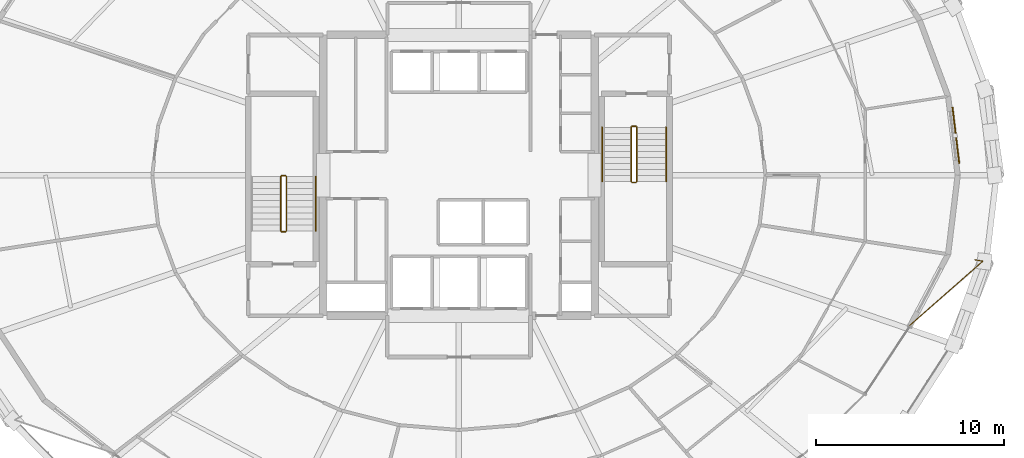
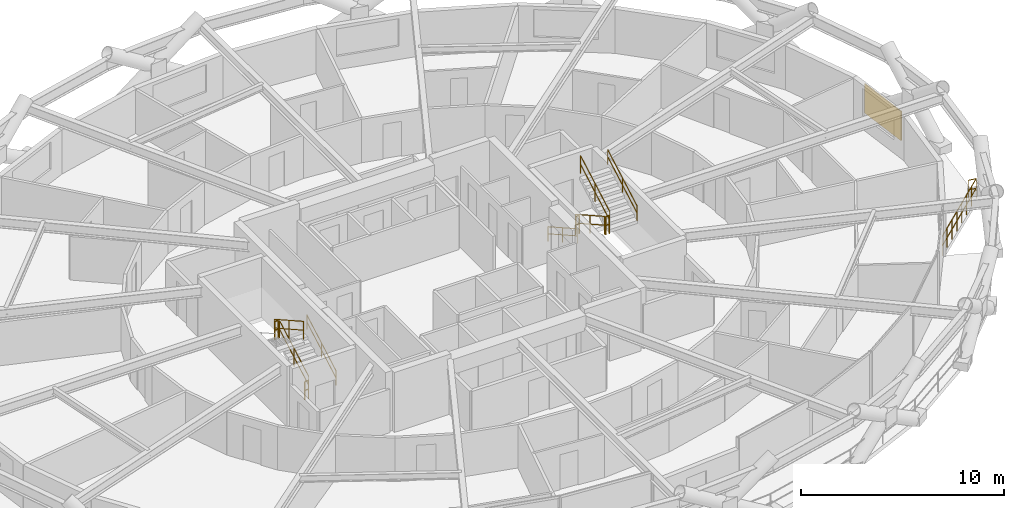
# One storey, part 19 of 19: 12 railings, 1 shading device.
"""IFC4 building model written with IfcOpenShell, lengths in metres."""

from ifc_helpers import new_model, si_unit, direction, frame, origin, origin_2d, place, context, subcontext, project, spatial, rectangle, circle, extrude, material, layer, layer_set, type_object, element, save


model = new_model("IFC4")

# Units and contexts
model_context = context("Model", 3, precision=1e-05, world=origin(), true_north=direction((0.0, 1.0)))
body_context = subcontext(model_context, "Body", "Model", "MODEL_VIEW")
ifc_project = project(units=[si_unit("LENGTHUNIT", "METRE"), si_unit("AREAUNIT", "SQUARE_METRE"), si_unit("VOLUMEUNIT", "CUBIC_METRE"), si_unit("PLANEANGLEUNIT", "RADIAN"), si_unit("MASSUNIT", "GRAM", prefix="KILO")], contexts=[model_context])

# Site, building, storey
site_placement = place(None, origin())
site = spatial("IfcSite", under=ifc_project, at=site_placement, CompositionType="ELEMENT")
building_placement = place(site_placement, origin())
building = spatial("IfcBuilding", under=site, at=building_placement, Name="Veldorina Hangang Commons", CompositionType="ELEMENT")
storey_placement = place(building_placement, frame((0.0, 0.0, 52.0)))
storey = spatial("IfcBuildingStorey", under=building, at=storey_placement, Name="L12", CompositionType="ELEMENT", Elevation=52.0)

# Railings
ifc_material_1 = material(Name="Glass Laminated Safety Balustrade", Category="glass")
railing_type_1 = type_object("IfcRailingType", Name="RL-BAL-LOGGIA", PredefinedType="BALUSTRADE", material=ifc_material_1)
railing_1_placement = place(storey_placement, frame((59.3955078125, 19.5087890625, 0.0)))
element("IfcRailing", 1, at=railing_1_placement, inside=storey, type_object=railing_type_1, Name="L12 sky-garden loggia end balustrade B", PredefinedType="BALUSTRADE", context=body_context, shape_type="SweptSolid", body=[
    extrude(circle(Radius=0.02392578125, at=origin_2d()), frame((0.0, 0.0, 1.17578125), z_axis=(0.9868459218, -0.161663621839, 0.0), x_axis=(0.161663621839, 0.9868459218, 0.0)), (0.0, 0.0, 1.0), 0.419921875),
    extrude(circle(Radius=0.02392578125, at=origin_2d()), frame((0.0, 0.0, 0.60009765625), z_axis=(0.9868459218, -0.161663621839, 0.0), x_axis=(0.161663621839, 0.9868459218, 0.0)), (0.0, 0.0, 1.0), 0.419921875),
    extrude(circle(Radius=0.02392578125, at=origin_2d()), frame((0.414306640625, -0.06787109375, 1.17578125), z_axis=(-0.751143730367, -0.660138694768, 0.0), x_axis=(0.660138694768, -0.751143730367, 0.0)), (0.0, 0.0, 1.0), 5.19921875),
    extrude(circle(Radius=0.02392578125, at=origin_2d()), frame((0.414306640625, -0.06787109375, 0.60009765625), z_axis=(-0.751143730367, -0.660138694768, 0.0), x_axis=(0.660138694768, -0.751143730367, 0.0)), (0.0, 0.0, 1.0), 5.19921875),
    extrude(circle(Radius=0.02099609375, at=origin_2d()), origin(), (0.0, 0.0, 1.0), 1.15185546875),
    extrude(circle(Radius=0.02099609375, at=origin_2d()), frame((0.414306640625, -0.06787109375, 0.0)), (0.0, 0.0, 1.0), 1.15185546875),
    extrude(circle(Radius=0.02099609375, at=origin_2d()), frame((-0.1435546875, -0.55810546875, 0.0)), (0.0, 0.0, 1.0), 1.15185546875),
    extrude(circle(Radius=0.02099609375, at=origin_2d()), frame((-0.701416015625, -1.048583984375, 0.0)), (0.0, 0.0, 1.0), 1.15185546875),
    extrude(circle(Radius=0.02099609375, at=origin_2d()), frame((-1.25927734375, -1.538818359375, 0.0)), (0.0, 0.0, 1.0), 1.15185546875),
    extrude(circle(Radius=0.02099609375, at=origin_2d()), frame((-1.8173828125, -2.029052734375, 0.0)), (0.0, 0.0, 1.0), 1.15185546875),
    extrude(circle(Radius=0.02099609375, at=origin_2d()), frame((-2.375244140625, -2.519287109375, 0.0)), (0.0, 0.0, 1.0), 1.15185546875),
    extrude(circle(Radius=0.02099609375, at=origin_2d()), frame((-2.93310546875, -3.009765625, 0.0)), (0.0, 0.0, 1.0), 1.15185546875),
    extrude(circle(Radius=0.02099609375, at=origin_2d()), frame((-3.490966796875, -3.5, 0.0)), (0.0, 0.0, 1.0), 1.15185546875),
])
ifc_material_2 = material(Name="Steel Painted Balustrade", Category="steel")
railing_type_2 = type_object("IfcRailingType", Name="RL-GRD-STAIR", PredefinedType="GUARDRAIL", material=ifc_material_2)
railing_2_placement = place(storey_placement, frame((22.85009765625, 21.050048828125, 0.179931640625)))
element("IfcRailing", 2, at=railing_2_placement, inside=storey, type_object=railing_type_2, Name="L12 ST-1 stair guard 1", PredefinedType="GUARDRAIL", context=body_context, shape_type="SweptSolid", body=[
    extrude(circle(Radius=0.02392578125, at=origin_2d()), frame((0.0, 0.0, 1.076171875), z_axis=(0.0, 0.87155185771, 0.490303333991), x_axis=(-1.0, 0.0, 0.0)), (0.0, 0.0, 1.0), 3.30419921875),
    extrude(circle(Radius=0.02392578125, at=origin_2d()), frame((0.0, 0.0, 0.550048828125), z_axis=(0.0, 0.87155185771, 0.490303333991), x_axis=(-1.0, 0.0, 0.0)), (0.0, 0.0, 1.0), 3.30419921875),
    extrude(circle(Radius=0.02099609375, at=origin_2d()), origin(), (0.0, 0.0, 1.0), 1.052001953125),
    extrude(circle(Radius=0.02099609375, at=origin_2d()), frame((0.0, 1.43994140625, 0.81005859375)), (0.0, 0.0, 1.0), 1.052001953125),
    extrude(circle(Radius=0.02099609375, at=origin_2d()), frame((0.0, 2.8798828125, 1.6201171875)), (0.0, 0.0, 1.0), 1.052001953125),
])
railing_3_placement = place(storey_placement, frame((22.800048828125, 23.97998046875, 1.800048828125)))
element("IfcRailing", 3, at=railing_3_placement, inside=storey, type_object=railing_type_2, Name="L12 ST-1 stair guard 2", PredefinedType="GUARDRAIL", context=body_context, shape_type="SweptSolid", body=[
    extrude(circle(Radius=0.02392578125, at=origin_2d()), frame((0.0, 0.0, 1.076171875), z_axis=(-1.0, 0.0, 0.0), x_axis=(0.0, -1.0, 0.0)), (0.0, 0.0, 1.0), 0.199951171875),
    extrude(circle(Radius=0.02392578125, at=origin_2d()), frame((0.0, 0.0, 0.550048828125), z_axis=(-1.0, 0.0, 0.0), x_axis=(0.0, -1.0, 0.0)), (0.0, 0.0, 1.0), 0.199951171875),
    extrude(circle(Radius=0.02099609375, at=origin_2d()), origin(), (0.0, 0.0, 1.0), 1.052001953125),
    extrude(circle(Radius=0.02099609375, at=origin_2d()), frame((-0.199951171875, 0.0, 0.0)), (0.0, 0.0, 1.0), 1.052001953125),
])
railing_4_placement = place(storey_placement, frame((22.550048828125, 23.929931640625, 1.97998046875)))
element("IfcRailing", 4, at=railing_4_placement, inside=storey, type_object=railing_type_2, Name="L12 ST-1 stair guard 3", PredefinedType="GUARDRAIL", context=body_context, shape_type="SweptSolid", body=[
    extrude(circle(Radius=0.02392578125, at=origin_2d()), frame((0.0, 0.0, 1.076171875), z_axis=(0.0, -0.87155185771, 0.490303333991), x_axis=(1.0, 0.0, 0.0)), (0.0, 0.0, 1.0), 3.30419921875),
    extrude(circle(Radius=0.02392578125, at=origin_2d()), frame((0.0, 0.0, 0.550048828125), z_axis=(0.0, -0.87155185771, 0.490303333991), x_axis=(1.0, 0.0, 0.0)), (0.0, 0.0, 1.0), 3.30419921875),
    extrude(circle(Radius=0.02099609375, at=origin_2d()), origin(), (0.0, 0.0, 1.0), 1.052001953125),
    extrude(circle(Radius=0.02099609375, at=origin_2d()), frame((0.0, -1.43994140625, 0.81005859375)), (0.0, 0.0, 1.0), 1.052001953125),
    extrude(circle(Radius=0.02099609375, at=origin_2d()), frame((0.0, -2.8798828125, 1.6201171875)), (0.0, 0.0, 1.0), 1.052001953125),
])
railing_5_placement = place(storey_placement, frame((22.800048828125, 21.0, 0.0)))
element("IfcRailing", 5, at=railing_5_placement, inside=storey, type_object=railing_type_2, Name="L12 ST-1 stair guard 4", PredefinedType="GUARDRAIL", context=body_context, shape_type="SweptSolid", body=[
    extrude(circle(Radius=0.02392578125, at=origin_2d()), frame((0.0, 0.0, 1.076171875), z_axis=(-1.0, 0.0, 0.0), x_axis=(0.0, -1.0, 0.0)), (0.0, 0.0, 1.0), 0.199951171875),
    extrude(circle(Radius=0.02392578125, at=origin_2d()), frame((0.0, 0.0, 0.550048828125), z_axis=(-1.0, 0.0, 0.0), x_axis=(0.0, -1.0, 0.0)), (0.0, 0.0, 1.0), 0.199951171875),
    extrude(circle(Radius=0.02099609375, at=origin_2d()), origin(), (0.0, 0.0, 1.0), 1.052001953125),
    extrude(circle(Radius=0.02099609375, at=origin_2d()), frame((-0.199951171875, 0.0, 0.0)), (0.0, 0.0, 1.0), 1.052001953125),
])
railing_6_placement = place(storey_placement, frame((41.14990234375, 26.550048828125, 0.179931640625)))
element("IfcRailing", 6, at=railing_6_placement, inside=storey, type_object=railing_type_2, Name="L12 ST-2 stair guard 1", PredefinedType="GUARDRAIL", context=body_context, shape_type="SweptSolid", body=[
    extrude(circle(Radius=0.02392578125, at=origin_2d()), frame((0.0, 0.0, 1.076171875), z_axis=(0.0, -0.871569617843, 0.490271762652), x_axis=(1.0, 0.0, 0.0)), (0.0, 0.0, 1.0), 3.304443359375),
    extrude(circle(Radius=0.02392578125, at=origin_2d()), frame((0.0, 0.0, 0.550048828125), z_axis=(0.0, -0.871569617843, 0.490271762652), x_axis=(1.0, 0.0, 0.0)), (0.0, 0.0, 1.0), 3.304443359375),
    extrude(circle(Radius=0.02099609375, at=origin_2d()), origin(), (0.0, 0.0, 1.0), 1.052001953125),
    extrude(circle(Radius=0.02099609375, at=origin_2d()), frame((0.0, -1.43994140625, 0.81005859375)), (0.0, 0.0, 1.0), 1.052001953125),
    extrude(circle(Radius=0.02099609375, at=origin_2d()), frame((0.0, -2.880126953125, 1.6201171875)), (0.0, 0.0, 1.0), 1.052001953125),
])
railing_7_placement = place(storey_placement, frame((41.199951171875, 23.6201171875, 1.800048828125)))
element("IfcRailing", 7, at=railing_7_placement, inside=storey, type_object=railing_type_2, Name="L12 ST-2 stair guard 2", PredefinedType="GUARDRAIL", context=body_context, shape_type="SweptSolid", body=[
    extrude(circle(Radius=0.02392578125, at=origin_2d()), frame((0.0, 0.0, 1.076171875), z_axis=(1.0, 0.0, 0.0), x_axis=(0.0, 1.0, 0.0)), (0.0, 0.0, 1.0), 0.199951171875),
    extrude(circle(Radius=0.02392578125, at=origin_2d()), frame((0.0, 0.0, 0.550048828125), z_axis=(1.0, 0.0, 0.0), x_axis=(0.0, 1.0, 0.0)), (0.0, 0.0, 1.0), 0.199951171875),
    extrude(circle(Radius=0.02099609375, at=origin_2d()), origin(), (0.0, 0.0, 1.0), 1.052001953125),
    extrude(circle(Radius=0.02099609375, at=origin_2d()), frame((0.199951171875, 0.0, 0.0)), (0.0, 0.0, 1.0), 1.052001953125),
])
railing_8_placement = place(storey_placement, frame((41.449951171875, 23.669921875, 1.97998046875)))
element("IfcRailing", 8, at=railing_8_placement, inside=storey, type_object=railing_type_2, Name="L12 ST-2 stair guard 3", PredefinedType="GUARDRAIL", context=body_context, shape_type="SweptSolid", body=[
    extrude(circle(Radius=0.02392578125, at=origin_2d()), frame((0.0, 0.0, 1.076171875), z_axis=(0.0, 0.871569617843, 0.490271762652), x_axis=(-1.0, 0.0, 0.0)), (0.0, 0.0, 1.0), 3.304443359375),
    extrude(circle(Radius=0.02392578125, at=origin_2d()), frame((0.0, 0.0, 0.550048828125), z_axis=(0.0, 0.871569617843, 0.490271762652), x_axis=(-1.0, 0.0, 0.0)), (0.0, 0.0, 1.0), 3.304443359375),
    extrude(circle(Radius=0.02099609375, at=origin_2d()), origin(), (0.0, 0.0, 1.0), 1.052001953125),
    extrude(circle(Radius=0.02099609375, at=origin_2d()), frame((0.0, 1.43994140625, 0.81005859375)), (0.0, 0.0, 1.0), 1.052001953125),
    extrude(circle(Radius=0.02099609375, at=origin_2d()), frame((0.0, 2.880126953125, 1.6201171875)), (0.0, 0.0, 1.0), 1.052001953125),
])
railing_9_placement = place(storey_placement, frame((41.199951171875, 26.60009765625, 0.0)))
element("IfcRailing", 9, at=railing_9_placement, inside=storey, type_object=railing_type_2, Name="L12 ST-2 stair guard 4", PredefinedType="GUARDRAIL", context=body_context, shape_type="SweptSolid", body=[
    extrude(circle(Radius=0.02392578125, at=origin_2d()), frame((0.0, 0.0, 1.076171875), z_axis=(1.0, 0.0, 0.0), x_axis=(0.0, 1.0, 0.0)), (0.0, 0.0, 1.0), 0.199951171875),
    extrude(circle(Radius=0.02392578125, at=origin_2d()), frame((0.0, 0.0, 0.550048828125), z_axis=(1.0, 0.0, 0.0), x_axis=(0.0, 1.0, 0.0)), (0.0, 0.0, 1.0), 0.199951171875),
    extrude(circle(Radius=0.02099609375, at=origin_2d()), origin(), (0.0, 0.0, 1.0), 1.052001953125),
    extrude(circle(Radius=0.02099609375, at=origin_2d()), frame((0.199951171875, 0.0, 0.0)), (0.0, 0.0, 1.0), 1.052001953125),
])
ifc_material_3 = material(Name="Stainless Steel Brushed 316", Category="steel")
railing_type_3 = type_object("IfcRailingType", Name="RL-HND-STAIR", PredefinedType="HANDRAIL", material=ifc_material_3)
railing_10_placement = place(storey_placement, frame((24.39990234375, 21.050048828125, 0.179931640625)))
element("IfcRailing", 10, at=railing_10_placement, inside=storey, type_object=railing_type_3, Name="L12 ST-1 stair handrail 1", PredefinedType="HANDRAIL", context=body_context, shape_type="SweptSolid", body=[
    extrude(circle(Radius=0.02392578125, at=origin_2d()), frame((0.0, 0.0, 0.8759765625), z_axis=(0.0, 0.87155185771, 0.490303333991), x_axis=(-1.0, 0.0, 0.0)), (0.0, 0.0, 1.0), 3.30419921875),
    extrude(circle(Radius=0.02392578125, at=origin_2d()), frame((0.0, 0.0, 0.449951171875), z_axis=(0.0, 0.87155185771, 0.490303333991), x_axis=(-1.0, 0.0, 0.0)), (0.0, 0.0, 1.0), 3.30419921875),
    extrude(circle(Radius=0.02099609375, at=origin_2d()), origin(), (0.0, 0.0, 1.0), 0.851806640625),
    extrude(circle(Radius=0.02099609375, at=origin_2d()), frame((0.0, 1.43994140625, 0.81005859375)), (0.0, 0.0, 1.0), 0.851806640625),
    extrude(circle(Radius=0.02099609375, at=origin_2d()), frame((0.0, 2.8798828125, 1.6201171875)), (0.0, 0.0, 1.0), 0.851806640625),
])
railing_11_placement = place(storey_placement, frame((39.60009765625, 26.550048828125, 0.179931640625)))
element("IfcRailing", 11, at=railing_11_placement, inside=storey, type_object=railing_type_3, Name="L12 ST-2 stair handrail 1", PredefinedType="HANDRAIL", context=body_context, shape_type="SweptSolid", body=[
    extrude(circle(Radius=0.02392578125, at=origin_2d()), frame((0.0, 0.0, 0.8759765625), z_axis=(0.0, -0.871569617843, 0.490271762652), x_axis=(1.0, 0.0, 0.0)), (0.0, 0.0, 1.0), 3.304443359375),
    extrude(circle(Radius=0.02392578125, at=origin_2d()), frame((0.0, 0.0, 0.449951171875), z_axis=(0.0, -0.871569617843, 0.490271762652), x_axis=(1.0, 0.0, 0.0)), (0.0, 0.0, 1.0), 3.304443359375),
    extrude(circle(Radius=0.02099609375, at=origin_2d()), origin(), (0.0, 0.0, 1.0), 0.851806640625),
    extrude(circle(Radius=0.02099609375, at=origin_2d()), frame((0.0, -1.43994140625, 0.81005859375)), (0.0, 0.0, 1.0), 0.851806640625),
    extrude(circle(Radius=0.02099609375, at=origin_2d()), frame((0.0, -2.880126953125, 1.6201171875)), (0.0, 0.0, 1.0), 0.851806640625),
])
railing_12_placement = place(storey_placement, frame((43.0, 23.669921875, 1.97998046875)))
element("IfcRailing", 12, at=railing_12_placement, inside=storey, type_object=railing_type_3, Name="L12 ST-2 stair handrail 2", PredefinedType="HANDRAIL", context=body_context, shape_type="SweptSolid", body=[
    extrude(circle(Radius=0.02392578125, at=origin_2d()), frame((0.0, 0.0, 0.8759765625), z_axis=(0.0, 0.871569617843, 0.490271762652), x_axis=(-1.0, 0.0, 0.0)), (0.0, 0.0, 1.0), 3.304443359375),
    extrude(circle(Radius=0.02392578125, at=origin_2d()), frame((0.0, 0.0, 0.449951171875), z_axis=(0.0, 0.871569617843, 0.490271762652), x_axis=(-1.0, 0.0, 0.0)), (0.0, 0.0, 1.0), 3.304443359375),
    extrude(circle(Radius=0.02099609375, at=origin_2d()), origin(), (0.0, 0.0, 1.0), 0.851806640625),
    extrude(circle(Radius=0.02099609375, at=origin_2d()), frame((0.0, 1.43994140625, 0.81005859375)), (0.0, 0.0, 1.0), 0.851806640625),
    extrude(circle(Radius=0.02099609375, at=origin_2d()), frame((0.0, 2.880126953125, 1.6201171875)), (0.0, 0.0, 1.0), 0.851806640625),
])

# Shading device
ifc_material_4 = material(Name="Ceramic Glazed Terracotta", Category="masonry")
ifc_layer = layer(ifc_material_4, 0.06005859375)
ifc_layer_set = layer_set([ifc_layer], Name="Ceramic Glazed Terracotta")
shading_device_type = type_object("IfcShadingDeviceType", Name="SCR-CER-3000", PredefinedType="USERDEFINED", material=ifc_layer_set)
shading_device_placement = place(storey_placement, frame((58.379638671875, 26.114013671875, 0.75), z_axis=(0.0, 0.0, 1.0), x_axis=(-0.120535347483, 0.992709035925, 0.0)))
element("IfcShadingDevice", 13, at=shading_device_placement, inside=storey, type_object=shading_device_type, Name="L12 PERFORATED CERAMIC SOLAR SCREEN 00", ObjectType="SCREEN", PredefinedType="USERDEFINED", context=body_context, shape_type="SweptSolid", body=[
    extrude(rectangle(XDim=3.0, YDim=0.06005859375, at=origin_2d()), origin(), (0.0, 0.0, 1.0), 1.75),
])

save(model, "model.ifc")
